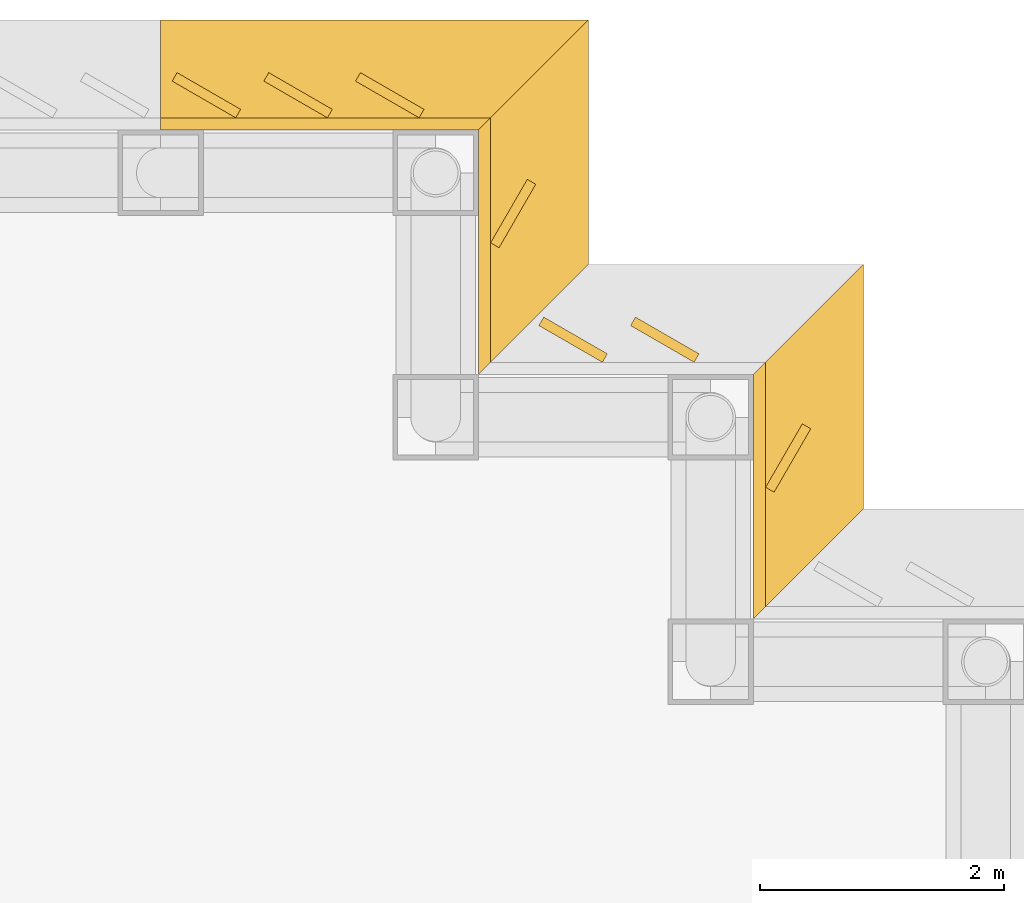
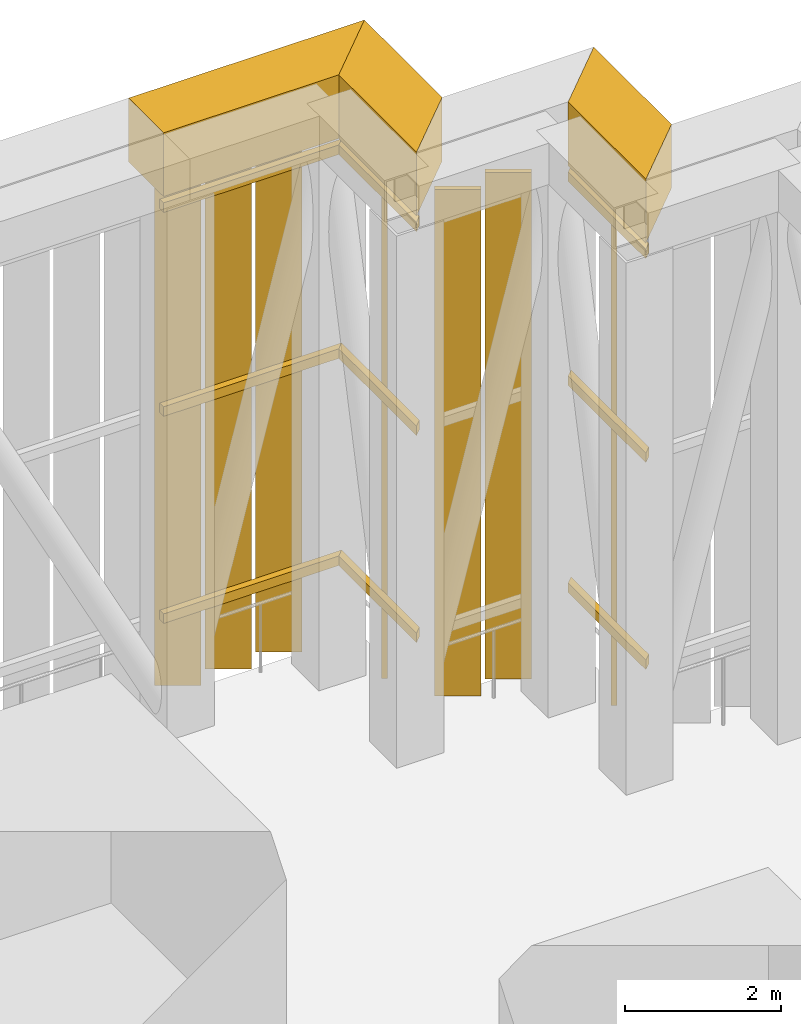
# One storey, part 10 of 11: 10 coverings.
"""IFC4 building model written with IfcOpenShell, lengths in metres."""

import ifcopenshell
import ifcopenshell.guid

model = None  # the IFC model being written
_history = None  # IfcOwnerHistory: only IFC2X3 demands one
_inside = {}  # id of a spatial element -> (the spatial element, [elements in it])
_under = {}  # id of a project, library or spatial element -> (it, [spatial elements below it])
_declared = {}  # id of a project -> (the project, [libraries it declares])
_typed = {}  # id of a type object -> (the type object, [elements of that type])
_made_of = {}  # id of a material, layer set ... -> (it, [elements and type objects made of it])


def new_model(schema):
    """Start an empty IFC model of exactly this schema.

    Asked for "IFC4X3", IfcOpenShell would pick the latest addendum, in which some entities
    have other attributes; the version numbers below select the first issue.
    IFC2X3 requires an IfcOwnerHistory on every rooted entity: one is made here for all.
    """
    global model, _history
    if schema == "IFC4X3":
        model = ifcopenshell.file(schema_version=(4, 3, 0, 0))
    else:
        model = ifcopenshell.file(schema=schema)
    _inside.clear()
    _under.clear()
    _declared.clear()
    _typed.clear()
    _made_of.clear()
    _history = None
    if model.schema == "IFC2X3":
        org = make("IfcOrganization", Name="unknown")
        user = make(
            "IfcPersonAndOrganization",
            ThePerson=make("IfcPerson", FamilyName="unknown"),
            TheOrganization=org,
        )
        app = make(
            "IfcApplication",
            ApplicationDeveloper=org,
            Version="unknown",
            ApplicationFullName="unknown",
            ApplicationIdentifier="unknown",
        )
        _history = make(
            "IfcOwnerHistory",
            OwningUser=user,
            OwningApplication=app,
            ChangeAction="ADDED",
            CreationDate=0,
        )
    return model


def make(cls, **values):
    """One entity of the class cls with the attributes given. An attribute that is None is left unset."""
    return model.create_entity(
        cls, **{name: value for name, value in values.items() if value is not None}
    )


def rooted(cls, **values):
    """An entity with a GlobalId (a new one), such as an element, a storey or a relation."""
    return make(cls, GlobalId=ifcopenshell.guid.new(), OwnerHistory=_history, **values)


def si_unit(unit_type, name, prefix=None):
    """IfcSIUnit, for example si_unit("LENGTHUNIT", "METRE", prefix="MILLI")."""
    return make("IfcSIUnit", UnitType=unit_type, Prefix=prefix, Name=name)


def assignment(units):
    """IfcUnitAssignment: the units of a project."""
    return None if units is None else make("IfcUnitAssignment", Units=units)


def point(xyz):
    """IfcCartesianPoint."""
    return None if xyz is None else make("IfcCartesianPoint", Coordinates=xyz)


def direction(xyz):
    """IfcDirection."""
    return None if xyz is None else make("IfcDirection", DirectionRatios=xyz)


def frame(location, z_axis=None, x_axis=None):
    """IfcAxis2Placement3D, a coordinate frame: its origin and axes. An axis left out is left unset."""
    return make(
        "IfcAxis2Placement3D",
        Location=point(location),
        Axis=direction(z_axis),
        RefDirection=direction(x_axis),
    )


def origin():
    """The frame at (0, 0, 0) with its axes left unset."""
    return frame((0.0, 0.0, 0.0))


def place(relative_to, where):
    """IfcLocalPlacement: puts the frame where relative to a parent placement (None: the world)."""
    return make(
        "IfcLocalPlacement", PlacementRelTo=relative_to, RelativePlacement=where
    )


def context(
    kind, dimensions, precision=None, world=None, true_north=None, identifier=None
):
    """IfcGeometricRepresentationContext, for example the 3D "Model" context."""
    return make(
        "IfcGeometricRepresentationContext",
        ContextIdentifier=identifier,
        ContextType=kind,
        CoordinateSpaceDimension=dimensions,
        Precision=precision,
        WorldCoordinateSystem=world,
        TrueNorth=true_north,
    )


def subcontext(parent, identifier, kind, view, scale=None):
    """IfcGeometricRepresentationSubContext, for example "Body" below "Model"."""
    return make(
        "IfcGeometricRepresentationSubContext",
        ContextIdentifier=identifier,
        ContextType=kind,
        ParentContext=parent,
        TargetScale=scale,
        TargetView=view,
    )


def project(units=None, contexts=None):
    """IfcProject with its units and contexts."""
    return rooted(
        "IfcProject",
        Name="project",
        RepresentationContexts=contexts,
        UnitsInContext=assignment(units),
    )


def spatial(cls, under=None, at=None, **own):
    """A site, building, storey or space (cls), placed at a placement, below another one or the project."""
    s = rooted(cls, ObjectPlacement=at, **own)
    if under is not None:
        _under.setdefault(under.id(), (under, []))[1].append(s)
    return s


def polyline(points):
    """IfcPolyline through the points."""
    return make("IfcPolyline", Points=[point(p) for p in points])


def outline(outer, holes=None, kind="AREA"):
    """IfcArbitraryClosedProfileDef: a profile drawn as a closed curve; with holes, ...WithVoids."""
    if holes is None:
        return make("IfcArbitraryClosedProfileDef", ProfileType=kind, OuterCurve=outer)
    return make(
        "IfcArbitraryProfileDefWithVoids",
        ProfileType=kind,
        OuterCurve=outer,
        InnerCurves=holes,
    )


def extrude(swept, where, along, depth):
    """IfcExtrudedAreaSolid: the profile swept, set in the frame where, extruded along a direction by depth."""
    return make(
        "IfcExtrudedAreaSolid",
        SweptArea=swept,
        Position=where,
        ExtrudedDirection=direction(along),
        Depth=depth,
    )


def shape(context_of_items, identifier, shape_type, items):
    """IfcShapeRepresentation: the items that make up one representation, for example the "Body"."""
    return make(
        "IfcShapeRepresentation",
        ContextOfItems=context_of_items,
        RepresentationIdentifier=identifier,
        RepresentationType=shape_type,
        Items=items,
    )


def material(Name=None, Category=None):
    """IfcMaterial."""
    return make("IfcMaterial", Name=Name, Category=Category)


def layer(
    of_material, thickness, ventilated=None, Name=None, Category=None, Priority=None
):
    """IfcMaterialLayer: one layer of a wall or slab, of a material (None: an air gap)."""
    return make(
        "IfcMaterialLayer",
        Material=of_material,
        LayerThickness=thickness,
        IsVentilated=ventilated,
        Name=Name,
        Category=Category,
        Priority=Priority,
    )


def layer_set(layers, Name=None):
    """IfcMaterialLayerSet."""
    return make("IfcMaterialLayerSet", MaterialLayers=layers, LayerSetName=Name)


def made_of(thing, what):
    """Note that an element or type object is made of a material, layer set ...; save() writes the relation."""
    if what is not None:
        _made_of.setdefault(what.id(), (what, []))[1].append(thing)
    return thing


def type_object(cls, material=None, **own):
    """A type object (cls), such as IfcWallType, which elements share."""
    return made_of(rooted(cls, **own), material)


def element(
    cls,
    number,
    at=None,
    inside=None,
    cuts=None,
    type_object=None,
    material=None,
    context=None,
    identifier="Body",
    shape_type=None,
    held_by="IfcProductDefinitionShape",
    body=None,
    shapes=None,
    **own,
):
    """One element of the class cls, such as IfcWall. Its Tag is "e" and its number.

    at: its placement. inside: the storey or other place that contains it. cuts: it is an
    opening in that element (IfcRelVoidsElement). A single representation is given by context,
    identifier, shape_type and body (its items); several are given by shapes. held_by: the class
    of the entity that holds the representations. save() writes the other relations.
    """
    e = rooted(cls, Tag="e%d" % number, ObjectPlacement=at, **own)
    if body is not None:
        shapes = [shape(context, identifier, shape_type, body)]
    if shapes is not None:
        e.Representation = make(held_by, Representations=shapes)
    if inside is not None:
        _inside.setdefault(inside.id(), (inside, []))[1].append(e)
    if cuts is not None:
        rooted(
            "IfcRelVoidsElement", RelatingBuildingElement=cuts, RelatedOpeningElement=e
        )
    if type_object is not None:
        _typed.setdefault(type_object.id(), (type_object, []))[1].append(e)
    return made_of(e, material)


def aggregate(whole, parts):
    """IfcRelAggregates: a whole, such as a stair, and the parts it consists of."""
    return rooted("IfcRelAggregates", RelatingObject=whole, RelatedObjects=parts)


def save(model, path):
    """Write the relations noted so far, then the file.

    IfcRelAggregates (storeys below a building ...), IfcRelContainedInSpatialStructure (elements
    in a storey), IfcRelDefinesByType, IfcRelAssociatesMaterial and IfcRelDeclares: one each for
    every whole, place, type object, material and project.
    """
    for whole, parts in _under.values():
        aggregate(whole, parts)
    for where, things in _inside.values():
        rooted(
            "IfcRelContainedInSpatialStructure",
            RelatedElements=things,
            RelatingStructure=where,
        )
    for kind, things in _typed.values():
        rooted("IfcRelDefinesByType", RelatedObjects=things, RelatingType=kind)
    for what, things in _made_of.values():
        rooted("IfcRelAssociatesMaterial", RelatedObjects=things, RelatingMaterial=what)
    for by, libraries in _declared.values():
        rooted("IfcRelDeclares", RelatingContext=by, RelatedDefinitions=libraries)
    model.write(path)


model = new_model("IFC4")

# Units and contexts
model_context = context("Model", 3, precision=1e-05, world=origin(), true_north=direction((0.0, 1.0)))
body_context = subcontext(model_context, "Body", "Model", "MODEL_VIEW")
ifc_project = project(units=[si_unit("LENGTHUNIT", "METRE"), si_unit("AREAUNIT", "SQUARE_METRE"), si_unit("VOLUMEUNIT", "CUBIC_METRE"), si_unit("PLANEANGLEUNIT", "RADIAN"), si_unit("MASSUNIT", "GRAM", prefix="KILO")], contexts=[model_context])

# Site, building, storey
site_placement = place(None, origin())
site = spatial("IfcSite", under=ifc_project, at=site_placement, CompositionType="ELEMENT")
building_placement = place(site_placement, origin())
building = spatial("IfcBuilding", under=site, at=building_placement, Name="Rheinbord Bourse Tower", CompositionType="ELEMENT")
storey_placement = place(building_placement, frame((0.0, 0.0, 334.10009765625)))
storey = spatial("IfcBuildingStorey", under=building, at=storey_placement, Name="RF", CompositionType="ELEMENT", Elevation=334.10009765625)

# Coverings
ifc_material_1 = material(Name="Black aluminium coping on a steel frame", Category="steel")
ifc_layer_1 = layer(ifc_material_1, 1.0)
ifc_layer_set_1 = layer_set([ifc_layer_1], Name="CROWN CAP 900x1000")
covering_type_1 = type_object("IfcCoveringType", Name="CROWN CAP 900x1000", PredefinedType="USERDEFINED", material=ifc_layer_set_1)
covering_1_placement = place(storey_placement, frame((0.0, 0.0, 8.0)))
element("IfcCovering", 1, at=covering_1_placement, inside=storey, type_object=covering_type_1, Name="Crown cap NE-B-NE-C", ObjectType="COPING", PredefinedType="USERDEFINED", context=body_context, shape_type="SweptSolid", body=[
    extrude(outline(polyline([(67.85009765625, 40.35009765625), (67.85009765625, 42.35009765625), (68.75, 43.25), (68.75, 41.25), (67.85009765625, 40.35009765625)])), origin(), (0.0, 0.0, 1.0), 1.0),
])
covering_2_placement = place(storey_placement, frame((0.0, 0.0, 8.0)))
element("IfcCovering", 2, at=covering_2_placement, inside=storey, type_object=covering_type_1, Name="Crown cap NE-D-NE-E", ObjectType="COPING", PredefinedType="USERDEFINED", context=body_context, shape_type="SweptSolid", body=[
    extrude(outline(polyline([(65.60009765625, 42.35009765625), (65.60009765625, 44.35009765625), (66.5, 45.25), (66.5, 43.25), (65.60009765625, 42.35009765625)])), origin(), (0.0, 0.0, 1.0), 1.0),
])
covering_3_placement = place(storey_placement, frame((0.0, 0.0, 8.0)))
element("IfcCovering", 3, at=covering_3_placement, inside=storey, type_object=covering_type_1, Name="Crown cap NE-E-N-63", ObjectType="COPING", PredefinedType="USERDEFINED", context=body_context, shape_type="SweptSolid", body=[
    extrude(outline(polyline([(65.60009765625, 44.35009765625), (63.0, 44.35009765625), (63.0, 45.25), (66.5, 45.25), (65.60009765625, 44.35009765625)])), origin(), (0.0, 0.0, 1.0), 1.0),
])
ifc_material_2 = material(Name="Black anodised aluminium", Category="aluminium")
ifc_layer_2 = layer(ifc_material_2, 0.080078125)
ifc_layer_set_2 = layer_set([ifc_layer_2], Name="CROWN SCREEN BLADE 600x80")
covering_type_2 = type_object("IfcCoveringType", Name="CROWN SCREEN BLADE 600x80", PredefinedType="USERDEFINED", material=ifc_layer_set_2)
covering_4_placement = place(storey_placement, frame((0.0, 0.0, 0.0498046875)))
element("IfcCovering", 4, at=covering_4_placement, inside=storey, type_object=covering_type_2, Name="Crown screen blades NE-B-NE-C", ObjectType="LOUVRE", PredefinedType="USERDEFINED", context=body_context, shape_type="SweptSolid", body=[
    extrude(outline(polyline([(67.949951171875, 41.427001953125), (68.25, 41.946044921875), (68.319091796875, 41.906005859375), (68.01904296875, 41.386962890625), (67.949951171875, 41.427001953125)])), origin(), (0.0, 0.0, 1.0), 7.9501953125),
])
covering_5_placement = place(storey_placement, frame((0.0, 0.0, 0.0498046875)))
element("IfcCovering", 5, at=covering_5_placement, inside=storey, type_object=covering_type_2, Name="Crown screen blades NE-C-NE-D", ObjectType="LOUVRE", PredefinedType="USERDEFINED", context=body_context, shape_type="SweptSolid", body=[
    extrude(outline(polyline([(67.364990234375, 42.449951171875), (66.844970703125, 42.75), (66.885009765625, 42.819091796875), (67.405029296875, 42.51904296875), (67.364990234375, 42.449951171875)])), origin(), (0.0, 0.0, 1.0), 7.9501953125),
    extrude(outline(polyline([(66.614990234375, 42.449951171875), (66.094970703125, 42.75), (66.135009765625, 42.819091796875), (66.655029296875, 42.51904296875), (66.614990234375, 42.449951171875)])), origin(), (0.0, 0.0, 1.0), 7.9501953125),
])
covering_6_placement = place(storey_placement, frame((0.0, 0.0, 0.0498046875)))
element("IfcCovering", 6, at=covering_6_placement, inside=storey, type_object=covering_type_2, Name="Crown screen blades NE-D-NE-E", ObjectType="LOUVRE", PredefinedType="USERDEFINED", context=body_context, shape_type="SweptSolid", body=[
    extrude(outline(polyline([(65.699951171875, 43.427001953125), (66.0, 43.946044921875), (66.069091796875, 43.906005859375), (65.76904296875, 43.386962890625), (65.699951171875, 43.427001953125)])), origin(), (0.0, 0.0, 1.0), 7.9501953125),
])
covering_7_placement = place(storey_placement, frame((0.0, 0.0, 0.0498046875)))
element("IfcCovering", 7, at=covering_7_placement, inside=storey, type_object=covering_type_2, Name="Crown screen blades NE-E-N-63", ObjectType="LOUVRE", PredefinedType="USERDEFINED", context=body_context, shape_type="SweptSolid", body=[
    extrude(outline(polyline([(65.114990234375, 44.449951171875), (64.594970703125, 44.75), (64.635009765625, 44.819091796875), (65.155029296875, 44.51904296875), (65.114990234375, 44.449951171875)])), origin(), (0.0, 0.0, 1.0), 7.9501953125),
    extrude(outline(polyline([(64.364990234375, 44.449951171875), (63.844970703125, 44.75), (63.885009765625, 44.819091796875), (64.405029296875, 44.51904296875), (64.364990234375, 44.449951171875)])), origin(), (0.0, 0.0, 1.0), 7.9501953125),
    extrude(outline(polyline([(63.614990234375, 44.449951171875), (63.094970703125, 44.75), (63.135009765625, 44.819091796875), (63.655029296875, 44.51904296875), (63.614990234375, 44.449951171875)])), origin(), (0.0, 0.0, 1.0), 7.9501953125),
])
ifc_material_3 = material(Name="Black powder-coated steel", Category="steel")
ifc_layer_3 = layer(ifc_material_3, 0.10009765625)
ifc_layer_set_3 = layer_set([ifc_layer_3], Name="CROWN SCREEN RAIL 150x100")
covering_type_3 = type_object("IfcCoveringType", Name="CROWN SCREEN RAIL 150x100", PredefinedType="USERDEFINED", material=ifc_layer_set_3)
covering_8_placement = place(storey_placement, frame((0.0, 0.0, 1.2998046875)))
element("IfcCovering", 8, at=covering_8_placement, inside=storey, type_object=covering_type_3, Name="Crown screen rails NE-B-NE-C", ObjectType="LOUVRE RAIL", PredefinedType="USERDEFINED", context=body_context, shape_type="SweptSolid", body=[
    extrude(outline(polyline([(67.85009765625, 40.35009765625), (67.85009765625, 42.35009765625), (67.949951171875, 42.449951171875), (67.949951171875, 40.449951171875), (67.85009765625, 40.35009765625)])), origin(), (0.0, 0.0, 1.0), 0.150146484375),
    extrude(outline(polyline([(67.85009765625, 40.35009765625), (67.85009765625, 42.35009765625), (67.949951171875, 42.449951171875), (67.949951171875, 40.449951171875), (67.85009765625, 40.35009765625)])), frame((0.0, 0.0, 3.25)), (0.0, 0.0, 1.0), 0.150146484375),
    extrude(outline(polyline([(67.85009765625, 40.35009765625), (67.85009765625, 42.35009765625), (67.949951171875, 42.449951171875), (67.949951171875, 40.449951171875), (67.85009765625, 40.35009765625)])), frame((0.0, 0.0, 6.4501953125)), (0.0, 0.0, 1.0), 0.14990234375),
])
covering_9_placement = place(storey_placement, frame((0.0, 0.0, 1.2998046875)))
element("IfcCovering", 9, at=covering_9_placement, inside=storey, type_object=covering_type_3, Name="Crown screen rails NE-D-NE-E", ObjectType="LOUVRE RAIL", PredefinedType="USERDEFINED", context=body_context, shape_type="SweptSolid", body=[
    extrude(outline(polyline([(65.60009765625, 42.35009765625), (65.60009765625, 44.35009765625), (65.699951171875, 44.449951171875), (65.699951171875, 42.449951171875), (65.60009765625, 42.35009765625)])), origin(), (0.0, 0.0, 1.0), 0.150146484375),
    extrude(outline(polyline([(65.60009765625, 42.35009765625), (65.60009765625, 44.35009765625), (65.699951171875, 44.449951171875), (65.699951171875, 42.449951171875), (65.60009765625, 42.35009765625)])), frame((0.0, 0.0, 3.25)), (0.0, 0.0, 1.0), 0.150146484375),
    extrude(outline(polyline([(65.60009765625, 42.35009765625), (65.60009765625, 44.35009765625), (65.699951171875, 44.449951171875), (65.699951171875, 42.449951171875), (65.60009765625, 42.35009765625)])), frame((0.0, 0.0, 6.4501953125)), (0.0, 0.0, 1.0), 0.14990234375),
])
covering_10_placement = place(storey_placement, frame((0.0, 0.0, 1.2998046875)))
element("IfcCovering", 10, at=covering_10_placement, inside=storey, type_object=covering_type_3, Name="Crown screen rails NE-E-N-63", ObjectType="LOUVRE RAIL", PredefinedType="USERDEFINED", context=body_context, shape_type="SweptSolid", body=[
    extrude(outline(polyline([(65.60009765625, 44.35009765625), (63.0, 44.35009765625), (63.0, 44.449951171875), (65.699951171875, 44.449951171875), (65.60009765625, 44.35009765625)])), origin(), (0.0, 0.0, 1.0), 0.150146484375),
    extrude(outline(polyline([(65.60009765625, 44.35009765625), (63.0, 44.35009765625), (63.0, 44.449951171875), (65.699951171875, 44.449951171875), (65.60009765625, 44.35009765625)])), frame((0.0, 0.0, 3.25)), (0.0, 0.0, 1.0), 0.150146484375),
    extrude(outline(polyline([(65.60009765625, 44.35009765625), (63.0, 44.35009765625), (63.0, 44.449951171875), (65.699951171875, 44.449951171875), (65.60009765625, 44.35009765625)])), frame((0.0, 0.0, 6.4501953125)), (0.0, 0.0, 1.0), 0.14990234375),
])

save(model, "model.ifc")
